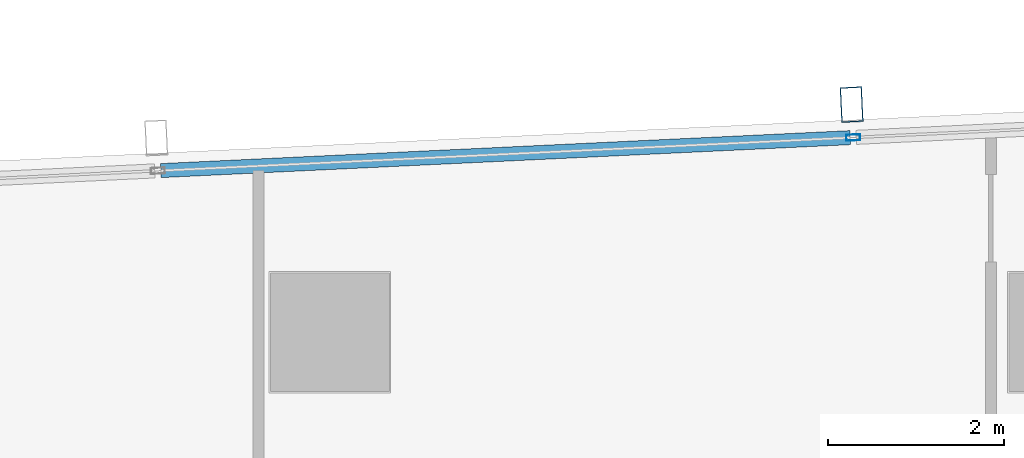
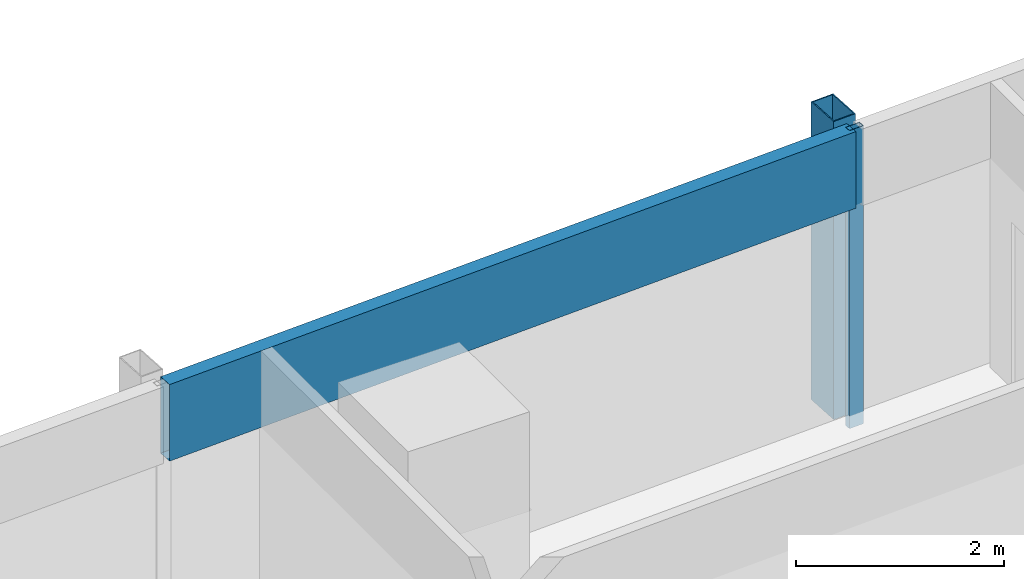
# One storey, part 18 of 39: 3 members, 1 element without a shape of its own.
"""IFC4 building model written with IfcOpenShell, lengths in metres."""

from ifc_helpers import new_model, si_unit, direction, frame, origin, origin_2d, place, context, subcontext, project, spatial, hollow_rectangle, extrude, material, material_profile, profile_set, type_object, element, aggregate, save


model = new_model("IFC4")

# Units and contexts
model_context = context("Model", 3, precision=1e-05, world=origin(), true_north=direction((0.0, 1.0)))
body_context = subcontext(model_context, "Body", "Model", "MODEL_VIEW")
ifc_project = project(units=[si_unit("LENGTHUNIT", "METRE"), si_unit("AREAUNIT", "SQUARE_METRE"), si_unit("VOLUMEUNIT", "CUBIC_METRE"), si_unit("PLANEANGLEUNIT", "RADIAN"), si_unit("MASSUNIT", "GRAM", prefix="KILO")], contexts=[model_context])

# Site, building, storey
site_placement = place(None, origin())
site = spatial("IfcSite", under=ifc_project, at=site_placement, CompositionType="ELEMENT")
building_placement = place(site_placement, origin())
building = spatial("IfcBuilding", under=site, at=building_placement, Name="Rekha Terrace Tower", CompositionType="ELEMENT")
storey_placement = place(building_placement, frame((0.0, 0.0, 187.699951171875)))
storey = spatial("IfcBuildingStorey", under=building, at=storey_placement, Name="L47", CompositionType="ELEMENT", Elevation=187.699951171875)

# Curtain wall, members
ifc_material_1 = material(Name="Aluminium framing", Category="aluminium")
curtain_wall_type = type_object("IfcCurtainWallType", Name="CW3 north unitised glazing", PredefinedType="USERDEFINED", material=ifc_material_1)
curtain_wall_placement = place(storey_placement, origin())
curtain_wall = element("IfcCurtainWall", 1, at=curtain_wall_placement, inside=storey, type_object=curtain_wall_type, Name="CW3 unitised curtain wall", ObjectType="UNITISED CURTAIN WALL", PredefinedType="USERDEFINED")
ifc_material_2 = material(Name="Steel S355 with fluorocarbon finish", Category="steel")
ifc_material_profile_1 = material_profile(ifc_material_2, hollow_rectangle(XDim=0.25, YDim=0.39990234375, WallThickness=0.012451171875, at=origin_2d()), Name="RHS400x250x12.5")
ifc_profile_set_1 = profile_set([ifc_material_profile_1], Name="Steel S355 with fluorocarbon finish")
member_type_1 = type_object("IfcMemberType", Name="BL1 facade blade RHS 400 x 250", PredefinedType="USERDEFINED", material=ifc_profile_set_1)
member_1_placement = place(storey_placement, frame((22.734130859375, 61.389404296875, 0.0), z_axis=(0.0, 0.0, 1.0), x_axis=(-0.998858913274, -0.04775846913, 0.0)))
member_1 = element("IfcMember", 2, at=member_1_placement, type_object=member_type_1, Name="Facade blade", ObjectType="FACADE BLADE", PredefinedType="USERDEFINED", context=body_context, shape_type="SweptSolid", body=[
    extrude(hollow_rectangle(XDim=0.25, YDim=0.39990234375, WallThickness=0.012451171875, at=origin_2d()), origin(), (0.0, 0.0, 1.0), 3.5),
])
ifc_material_3 = material(Name="Aluminium mullion section", Category="aluminium")
ifc_material_profile_2 = material_profile(ifc_material_3, hollow_rectangle(XDim=0.070068359375, YDim=0.159912109375, WallThickness=0.00390625, at=origin_2d()), Name="AL RHS 70x160")
ifc_profile_set_2 = profile_set([ifc_material_profile_2], Name="Aluminium mullion section")
member_type_2 = type_object("IfcMemberType", Name="CW3 mullion RHS 70 x 160", PredefinedType="MULLION", material=ifc_profile_set_2)
member_2_placement = place(storey_placement, frame((22.751953125, 61.014892578125, 0.0), z_axis=(0.0, 0.0, 1.0), x_axis=(0.047758616983, -0.998858906204, 0.0)))
member_2 = element("IfcMember", 3, at=member_2_placement, type_object=member_type_2, Name="CW3 mullion 4", PredefinedType="MULLION", context=body_context, shape_type="SweptSolid", body=[
    extrude(hollow_rectangle(XDim=0.070068359375, YDim=0.159912109375, WallThickness=0.00390625, at=origin_2d()), origin(), (0.0, 0.0, 1.0), 3.5),
])
ifc_material_4 = material(Name="Insulated aluminium spandrel box", Category="aluminium")
ifc_material_profile_3 = material_profile(ifc_material_4, hollow_rectangle(XDim=0.159912109375, YDim=0.89990234375, WallThickness=0.0029296875, at=origin_2d()), Name="AL SPANDREL BOX 160x900")
ifc_profile_set_3 = profile_set([ifc_material_profile_3], Name="Insulated aluminium spandrel box")
member_type_3 = type_object("IfcMemberType", Name="CW3 spandrel transom 160 x 900", PredefinedType="USERDEFINED", material=ifc_profile_set_3)
member_3_placement = place(storey_placement, frame((22.717041015625, 61.01318359375, 3.050048828125), z_axis=(-0.998859252362, -0.047751376635, 0.0), x_axis=(0.047751376635, -0.998859252362, 0.0)))
member_3 = element("IfcMember", 4, at=member_3_placement, type_object=member_type_3, Name="CW3 spandrel transom 4", ObjectType="TRANSOM", PredefinedType="USERDEFINED", context=body_context, shape_type="SweptSolid", body=[
    extrude(hollow_rectangle(XDim=0.159912109375, YDim=0.89990234375, WallThickness=0.0029296875, at=origin_2d()), origin(), (0.0, 0.0, 1.0), 7.84814453125),
])
aggregate(curtain_wall, [member_2, member_3, member_1])

save(model, "model.ifc")
